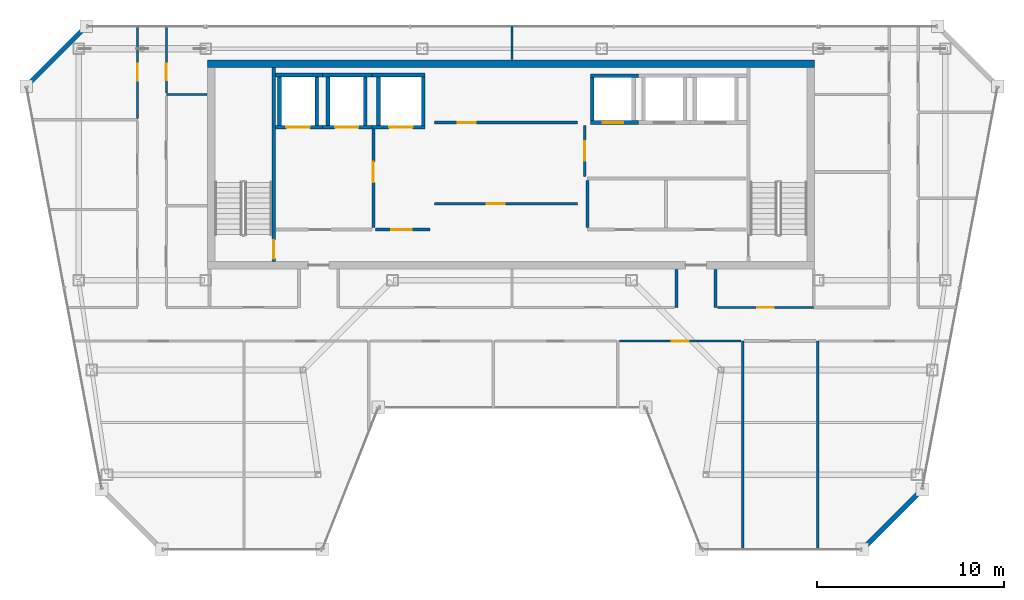
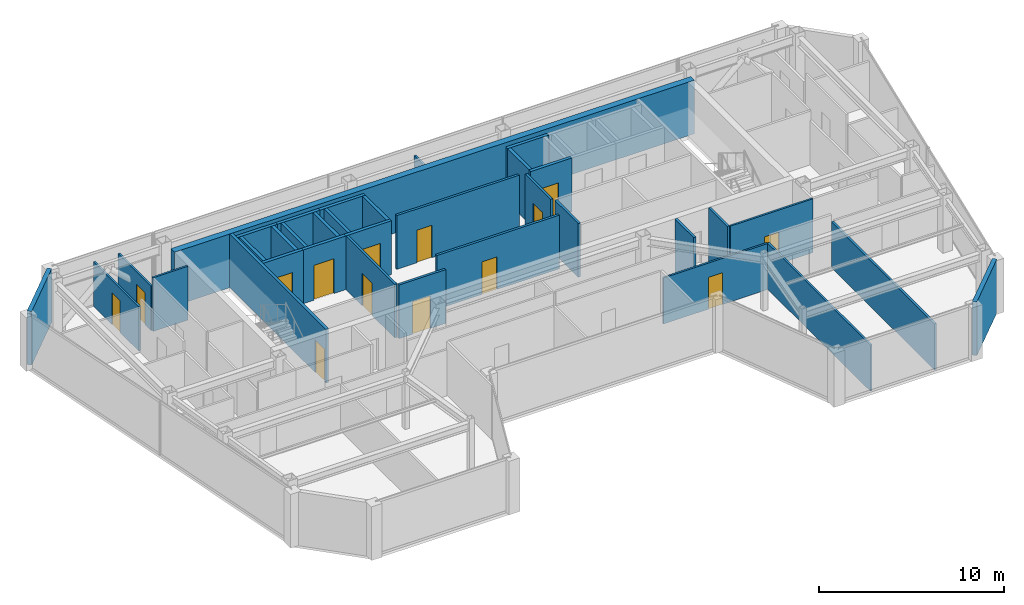
# One storey, part 19 of 23: 35 walls, 14 doors, 14 openings.
"""IFC4 building model written with IfcOpenShell, lengths in metres."""

from ifc_helpers import new_model, si_unit, direction, frame, frame_2d, origin, place, context, subcontext, project, spatial, rectangle, extrude, material, layer, layer_set, type_object, element, fill, save


model = new_model("IFC4")

# Units and contexts
model_context = context("Model", 3, precision=1e-05, world=origin(), true_north=direction((0.0, 1.0)))
body_context = subcontext(model_context, "Body", "Model", "MODEL_VIEW")
ifc_project = project(units=[si_unit("LENGTHUNIT", "METRE"), si_unit("AREAUNIT", "SQUARE_METRE"), si_unit("VOLUMEUNIT", "CUBIC_METRE"), si_unit("PLANEANGLEUNIT", "RADIAN"), si_unit("MASSUNIT", "GRAM", prefix="KILO")], contexts=[model_context])

# Site, building, storey
site_placement = place(None, origin())
site = spatial("IfcSite", under=ifc_project, at=site_placement, CompositionType="ELEMENT")
building_placement = place(site_placement, origin())
building = spatial("IfcBuilding", under=site, at=building_placement, Name="Saevonmaru Cultural Tower", CompositionType="ELEMENT")
storey_placement = place(building_placement, frame((0.0, 0.0, 283.800048828125)))
storey = spatial("IfcBuildingStorey", under=building, at=storey_placement, Name="L67", CompositionType="ELEMENT", Elevation=283.800048828125)

# Wall
ifc_material_1 = material(Name="Concrete C50/60", Category="concrete")
ifc_layer_1 = layer(ifc_material_1, 0.39990234375, Name="Concrete C50/60")
ifc_layer_set_1 = layer_set([ifc_layer_1], Name="Concrete C50/60")
wall_type_1 = type_object("IfcWallType", Name="WL-CORE-400", PredefinedType="SHEAR", material=ifc_layer_set_1)
wall_1_placement = place(storey_placement, frame((13.699951171875, 54.0, 0.0), z_axis=(0.0, 0.0, 1.0), x_axis=(1.0, 0.0, 0.0)))
element("IfcWall", 1, at=wall_1_placement, inside=storey, type_object=wall_type_1, Name="L67 Tower RC core shear wall N", PredefinedType="SHEAR", context=body_context, shape_type="SweptSolid", body=[
    extrude(rectangle(XDim=32.5, YDim=0.39990234375, at=frame_2d((16.25, 0.0))), origin(), (0.0, 0.0, 1.0), 3.550048828125),
])

# Wall, opening, door
ifc_material_2 = material(Name="Gypsum Fireboard Partition", Category="gypsum")
ifc_layer_2 = layer(ifc_material_2, 0.14990234375, Name="Gypsum Fireboard Partition")
ifc_layer_set_2 = layer_set([ifc_layer_2], Name="Gypsum Fireboard Partition")
wall_type_2 = type_object("IfcWallType", Name="WL-CORE-PART-150", PredefinedType="PARTITIONING", material=ifc_layer_set_2)
wall_2_placement = place(storey_placement, frame((22.580078125, 50.550048828125, 0.0), z_axis=(0.0, 0.0, 1.0), x_axis=(0.0, -1.0, 0.0)))
wall_2 = element("IfcWall", 2, at=wall_2_placement, inside=storey, type_object=wall_type_2, Name="L67 Firefighting Lift Lobby East Wall", PredefinedType="PARTITIONING", context=body_context, shape_type="SweptSolid", body=[
    extrude(rectangle(XDim=5.330078125, YDim=0.14990234375, at=frame_2d((2.6650390625, 0.0))), origin(), (0.0, 0.0, 1.0), 3.550048828125),
])
opening_1_placement = place(wall_2_placement, frame((1.800048828125, 0.0, 0.0)))
opening_1 = element("IfcOpeningElement", 3, at=opening_1_placement, cuts=wall_2, Name="Opening FD-2", PredefinedType="OPENING", context=body_context, shape_type="SweptSolid", body=[
    extrude(rectangle(XDim=1.10009765625, YDim=2.14990234375, at=frame_2d((0.550048828125, 1.074951171875))), frame((0.0, 0.0849609375, 0.0), z_axis=(0.0, -1.0, 0.0), x_axis=(1.0, 0.0, 0.0)), (0.0, 0.0, 1.0), 0.169921875),
])
ifc_material_3 = material(Name="Satin Bronze Anodised Aluminium", Category="aluminium")
door_type_1 = type_object("IfcDoorType", Name="DR-FD60-1100", OperationType="SINGLE_SWING_LEFT", PredefinedType="DOOR", material=ifc_material_3)
door_1_placement = place(opening_1_placement, origin())
door_1 = element("IfcDoor", 4, at=door_1_placement, inside=storey, type_object=door_type_1, Name="L67 Firefighting Lift Lobby East Door", OperationType="SINGLE_SWING_LEFT", OverallHeight=2.14990234375, OverallWidth=1.10009765625, PredefinedType="DOOR", context=body_context, shape_type="SweptSolid", body=[
    extrude(rectangle(XDim=1.10009765625, YDim=2.14990234375, at=frame_2d((0.550048828125, 1.074951171875))), frame((0.0, 0.02490234375, 0.0), z_axis=(0.0, -1.0, 0.0), x_axis=(1.0, 0.0, 0.0)), (0.0, 0.0, 1.0), 0.050048828125),
])
fill(opening_1, door_1)

wall_3_placement = place(storey_placement, frame((22.679931640625, 45.1201171875, 0.0), z_axis=(0.0, 0.0, 1.0), x_axis=(1.0, 0.0, 0.0)))
wall_3 = element("IfcWall", 5, at=wall_3_placement, inside=storey, type_object=wall_type_2, Name="L67 Service Lift Vestibule Wall", PredefinedType="PARTITIONING", context=body_context, shape_type="SweptSolid", body=[
    extrude(rectangle(XDim=2.920166015625, YDim=0.14990234375, at=frame_2d((1.4599609375, 0.0))), origin(), (0.0, 0.0, 1.0), 3.550048828125),
])
opening_2_placement = place(wall_3_placement, frame((0.85009765625, 0.0, 0.0)))
opening_2 = element("IfcOpeningElement", 6, at=opening_2_placement, cuts=wall_3, Name="Opening FD-2", PredefinedType="OPENING", context=body_context, shape_type="SweptSolid", body=[
    extrude(rectangle(XDim=1.10009765625, YDim=2.14990234375, at=frame_2d((0.550048828125, 1.074951171875))), frame((0.0, 0.0849609375, 0.0), z_axis=(0.0, -1.0, 0.0), x_axis=(1.0, 0.0, 0.0)), (0.0, 0.0, 1.0), 0.169921875),
])
door_2_placement = place(opening_2_placement, origin())
door_2 = element("IfcDoor", 7, at=door_2_placement, inside=storey, type_object=door_type_1, Name="L67 Service Lift Vestibule Door", OperationType="SINGLE_SWING_LEFT", OverallHeight=2.14990234375, OverallWidth=1.10009765625, PredefinedType="DOOR", context=body_context, shape_type="SweptSolid", body=[
    extrude(rectangle(XDim=1.10009765625, YDim=2.14990234375, at=frame_2d((0.550048828125, 1.074951171875))), frame((0.0, 0.02490234375, 0.0), z_axis=(0.0, -1.0, 0.0), x_axis=(1.0, 0.0, 0.0)), (0.0, 0.0, 1.0), 0.050048828125),
])
fill(opening_2, door_2)

wall_4_placement = place(storey_placement, frame((33.89990234375, 47.949951171875, 0.0), z_axis=(0.0, 0.0, 1.0), x_axis=(0.0, 1.0, 0.0)))
wall_4 = element("IfcWall", 8, at=wall_4_placement, inside=storey, type_object=wall_type_2, Name="L67 Zone Lobby Divider", PredefinedType="PARTITIONING", context=body_context, shape_type="SweptSolid", body=[
    extrude(rectangle(XDim=2.75, YDim=0.14990234375, at=frame_2d((1.375, 0.0))), origin(), (0.0, 0.0, 1.0), 3.550048828125),
])
opening_3_placement = place(wall_4_placement, frame((0.85009765625, 0.0, 0.0)))
opening_3 = element("IfcOpeningElement", 9, at=opening_3_placement, cuts=wall_4, Name="Opening ID-1", PredefinedType="OPENING", context=body_context, shape_type="SweptSolid", body=[
    extrude(rectangle(XDim=1.050048828125, YDim=2.14990234375, at=frame_2d((0.52490234375, 1.074951171875))), frame((0.0, 0.0849609375, 0.0), z_axis=(0.0, -1.0, 0.0), x_axis=(1.0, 0.0, 0.0)), (0.0, 0.0, 1.0), 0.169921875),
])
door_type_2 = type_object("IfcDoorType", Name="DR-INT-1050", OperationType="SINGLE_SWING_LEFT", PredefinedType="DOOR", material=ifc_material_3)
door_3_placement = place(opening_3_placement, origin())
door_3 = element("IfcDoor", 10, at=door_3_placement, inside=storey, type_object=door_type_2, Name="L67 Inter-Lobby Link Door", OperationType="SINGLE_SWING_LEFT", OverallHeight=2.14990234375, OverallWidth=1.050048828125, PredefinedType="DOOR", context=body_context, shape_type="SweptSolid", body=[
    extrude(rectangle(XDim=1.050048828125, YDim=2.14990234375, at=frame_2d((0.52490234375, 1.074951171875))), frame((0.0, 0.02490234375, 0.0), z_axis=(0.0, -1.0, 0.0), x_axis=(1.0, 0.0, 0.0)), (0.0, 0.0, 1.0), 0.050048828125),
])
fill(opening_3, door_3)

# Wall
wall_5_placement = place(storey_placement, frame((34.050048828125, 45.219970703125, 0.0), z_axis=(0.0, 0.0, 1.0), x_axis=(0.0, 1.0, 0.0)))
element("IfcWall", 11, at=wall_5_placement, inside=storey, type_object=wall_type_2, Name="L67 Core Plant West Wall", PredefinedType="PARTITIONING", context=body_context, shape_type="SweptSolid", body=[
    extrude(rectangle(XDim=2.530029296875, YDim=0.14990234375, at=frame_2d((1.26513671875, 0.0))), origin(), (0.0, 0.0, 1.0), 3.550048828125),
])

# Wall, opening, door
wall_6_placement = place(storey_placement, frame((25.85009765625, 50.85009765625, 0.0), z_axis=(0.0, 0.0, 1.0), x_axis=(1.0, 0.0, 0.0)))
wall_6 = element("IfcWall", 12, at=wall_6_placement, inside=storey, type_object=wall_type_2, Name="L67 Reclaimed Core Room South Wall", PredefinedType="PARTITIONING", context=body_context, shape_type="SweptSolid", body=[
    extrude(rectangle(XDim=7.64990234375, YDim=0.14990234375, at=frame_2d((3.824951171875, 0.0))), origin(), (0.0, 0.0, 1.0), 3.550048828125),
])
opening_4_placement = place(wall_6_placement, frame((1.25, 0.0, 0.0)))
opening_4 = element("IfcOpeningElement", 13, at=opening_4_placement, cuts=wall_6, Name="Opening FD-4", PredefinedType="OPENING", context=body_context, shape_type="SweptSolid", body=[
    extrude(rectangle(XDim=0.949951171875, YDim=2.14990234375, at=frame_2d((0.47509765625, 1.074951171875))), frame((0.0, 0.0849609375, 0.0), z_axis=(0.0, -1.0, 0.0), x_axis=(1.0, 0.0, 0.0)), (0.0, 0.0, 1.0), 0.169921875),
])
door_type_3 = type_object("IfcDoorType", Name="DR-FD60-950", OperationType="SINGLE_SWING_LEFT", PredefinedType="DOOR", material=ifc_material_3)
door_4_placement = place(opening_4_placement, origin())
door_4 = element("IfcDoor", 14, at=door_4_placement, inside=storey, type_object=door_type_3, Name="L67 Reclaimed Archive Vault Door", OperationType="SINGLE_SWING_LEFT", OverallHeight=2.14990234375, OverallWidth=0.949951171875, PredefinedType="DOOR", context=body_context, shape_type="SweptSolid", body=[
    extrude(rectangle(XDim=0.949951171875, YDim=2.14990234375, at=frame_2d((0.47509765625, 1.074951171875))), frame((0.0, 0.02490234375, 0.0), z_axis=(0.0, -1.0, 0.0), x_axis=(1.0, 0.0, 0.0)), (0.0, 0.0, 1.0), 0.050048828125),
])
fill(opening_4, door_4)

wall_7_placement = place(storey_placement, frame((25.85009765625, 46.5, 0.0), z_axis=(0.0, 0.0, 1.0), x_axis=(1.0, 0.0, 0.0)))
wall_7 = element("IfcWall", 15, at=wall_7_placement, inside=storey, type_object=wall_type_2, Name="L67 Reclaimed Mid-Shaft Wall", PredefinedType="PARTITIONING", context=body_context, shape_type="SweptSolid", body=[
    extrude(rectangle(XDim=7.64990234375, YDim=0.14990234375, at=frame_2d((3.824951171875, 0.0))), origin(), (0.0, 0.0, 1.0), 3.550048828125),
])
opening_5_placement = place(wall_7_placement, frame((2.800048828125, 0.0, 0.0)))
opening_5 = element("IfcOpeningElement", 16, at=opening_5_placement, cuts=wall_7, Name="Opening FD-4", PredefinedType="OPENING", context=body_context, shape_type="SweptSolid", body=[
    extrude(rectangle(XDim=0.949951171875, YDim=2.14990234375, at=frame_2d((0.47509765625, 1.074951171875))), frame((0.0, 0.0849609375, 0.0), z_axis=(0.0, -1.0, 0.0), x_axis=(1.0, 0.0, 0.0)), (0.0, 0.0, 1.0), 0.169921875),
])
door_5_placement = place(opening_5_placement, origin())
door_5 = element("IfcDoor", 17, at=door_5_placement, inside=storey, type_object=door_type_3, Name="L67 Reclaimed Manuscript Storage Door", OperationType="SINGLE_SWING_LEFT", OverallHeight=2.14990234375, OverallWidth=0.949951171875, PredefinedType="DOOR", context=body_context, shape_type="SweptSolid", body=[
    extrude(rectangle(XDim=0.949951171875, YDim=2.14990234375, at=frame_2d((0.47509765625, 1.074951171875))), frame((0.0, 0.02490234375, 0.0), z_axis=(0.0, -1.0, 0.0), x_axis=(1.0, 0.0, 0.0)), (0.0, 0.0, 1.0), 0.050048828125),
])
fill(opening_5, door_5)

# Walls
ifc_material_4 = material(Name="Granite-Clad Precast Concrete C40/50", Category="masonry")
ifc_layer_3 = layer(ifc_material_4, 0.260009765625, Name="Granite-Clad Precast Concrete C40/50")
ifc_layer_set_3 = layer_set([ifc_layer_3], Name="Granite-Clad Precast Concrete C40/50")
wall_type_3 = type_object("IfcWallType", Name="WL-EXT-SPANDREL-260", PredefinedType="STANDARD", material=ifc_layer_set_3)
for number, where, z_axis, x_axis, name in (
    (18, (48.86865234375, 28.113037109375, 0.0), (0.0, 0.0, 1.0), (0.707106781187, 0.707106781187, 0.0), "L67 Chamfer Corner Spandrel Wall E7"),
    (19, (7.0869140625, 55.886962890625, 0.0), (0.0, 0.0, 1.0), (-0.707106781187, -0.707106781187, 0.0), "L67 Chamfer Corner Spandrel Wall E11"),
):
    element("IfcWall", number, at=place(storey_placement, frame(where, z_axis=z_axis, x_axis=x_axis)), inside=storey, type_object=wall_type_3, Name=name, PredefinedType="STANDARD", context=body_context, shape_type="SweptSolid", body=[
        extrude(rectangle(XDim=4.205810546875, YDim=0.260009765625, at=frame_2d((2.10302734375, 0.0))), origin(), (0.0, 0.0, 1.0), 3.550048828125),
    ])
ifc_layer_4 = layer(ifc_material_2, 0.14990234375, Name="Gypsum Fireboard Partition")
ifc_layer_set_4 = layer_set([ifc_layer_4], Name="Gypsum Fireboard Partition")
wall_type_4 = type_object("IfcWallType", Name="WL-PART-FIRE-150", PredefinedType="PARTITIONING", material=ifc_layer_set_4)
for number, where, z_axis, x_axis, name in (
    (20, (38.800048828125, 40.949951171875, 0.0), (0.0, 0.0, 1.0), (0.0, 1.0, 0.0), "L67 Core Portal Side Wall E1"),
    (21, (40.89990234375, 40.949951171875, 0.0), (0.0, 0.0, 1.0), (0.0, 1.0, 0.0), "L67 Core Portal Side Wall E2"),
):
    element("IfcWall", number, at=place(storey_placement, frame(where, z_axis=z_axis, x_axis=x_axis)), inside=storey, type_object=wall_type_4, Name=name, PredefinedType="PARTITIONING", context=body_context, shape_type="SweptSolid", body=[
        extrude(rectangle(XDim=2.030029296875, YDim=0.14990234375, at=frame_2d((1.01513671875, 0.0))), origin(), (0.0, 0.0, 1.0), 3.550048828125),
    ])
ifc_layer_5 = layer(ifc_material_2, 0.1201171875, Name="Gypsum Fireboard Partition")
ifc_layer_set_5 = layer_set([ifc_layer_5], Name="Gypsum Fireboard Partition")
wall_type_5 = type_object("IfcWallType", Name="WL-PART-GYP-120", PredefinedType="PARTITIONING", material=ifc_layer_set_5)
wall_8_placement = place(storey_placement, frame((11.5, 52.35009765625, 0.0), z_axis=(0.0, 0.0, 1.0), x_axis=(1.0, 0.0, 0.0)))
element("IfcWall", 22, at=wall_8_placement, inside=storey, type_object=wall_type_5, Name="L67 North-West Panorama South Wall", PredefinedType="PARTITIONING", context=body_context, shape_type="SweptSolid", body=[
    extrude(rectangle(XDim=2.179931640625, YDim=0.1201171875, at=frame_2d((1.08984375, 0.0))), origin(), (0.0, 0.0, 1.0), 3.550048828125),
])
wall_9_placement = place(storey_placement, frame((30.0, 54.219970703125, 0.0), z_axis=(0.0, 0.0, 1.0), x_axis=(0.0, 1.0, 0.0)))
element("IfcWall", 23, at=wall_9_placement, inside=storey, type_object=wall_type_5, Name="L67 North Panorama Center Split", PredefinedType="PARTITIONING", context=body_context, shape_type="SweptSolid", body=[
    extrude(rectangle(XDim=1.775146484375, YDim=0.1201171875, at=frame_2d((0.8876953125, 0.0))), origin(), (0.0, 0.0, 1.0), 2.93505859375),
])

# Wall, opening, door
wall_10_placement = place(storey_placement, frame((11.5, 52.429931640625, 0.0), z_axis=(0.0, 0.0, 1.0), x_axis=(0.0, 1.0, 0.0)))
wall_10 = element("IfcWall", 24, at=wall_10_placement, inside=storey, type_object=wall_type_5, Name="L67 Typography Design Classroom Corridor Wall", PredefinedType="PARTITIONING", context=body_context, shape_type="SweptSolid", body=[
    extrude(rectangle(XDim=3.565185546875, YDim=0.1201171875, at=frame_2d((1.78271484375, 0.0))), origin(), (0.0, 0.0, 1.0), 2.93505859375),
])
opening_6_placement = place(wall_10_placement, frame((0.672119140625, 0.0, 0.0)))
opening_6 = element("IfcOpeningElement", 25, at=opening_6_placement, cuts=wall_10, Name="Opening ID-2", PredefinedType="OPENING", context=body_context, shape_type="SweptSolid", body=[
    extrude(rectangle(XDim=0.89990234375, YDim=2.10009765625, at=frame_2d((0.449951171875, 1.050048828125))), frame((0.0, 0.070068359375, 0.0), z_axis=(0.0, -1.0, 0.0), x_axis=(1.0, 0.0, 0.0)), (0.0, 0.0, 1.0), 0.14013671875),
])
ifc_material_5 = material(Name="Acoustic Stained Oak Timber", Category="wood")
door_type_4 = type_object("IfcDoorType", Name="DR-INT-900", OperationType="SINGLE_SWING_RIGHT", PredefinedType="DOOR", material=ifc_material_5)
door_6_placement = place(opening_6_placement, origin())
door_6 = element("IfcDoor", 26, at=door_6_placement, inside=storey, type_object=door_type_4, Name="L67 Typography Design Classroom Door", OperationType="SINGLE_SWING_LEFT", OverallHeight=2.10009765625, OverallWidth=0.89990234375, PredefinedType="DOOR", context=body_context, shape_type="SweptSolid", body=[
    extrude(rectangle(XDim=0.89990234375, YDim=2.10009765625, at=frame_2d((0.449951171875, 1.050048828125))), frame((0.0, 0.02490234375, 0.0), z_axis=(0.0, -1.0, 0.0), x_axis=(1.0, 0.0, 0.0)), (0.0, 0.0, 1.0), 0.050048828125),
])
fill(opening_6, door_6)

wall_11_placement = place(storey_placement, frame((9.949951171875, 51.080078125, 0.0), z_axis=(0.0, 0.0, 1.0), x_axis=(0.0, 1.0, 0.0)))
wall_11 = element("IfcWall", 27, at=wall_11_placement, inside=storey, type_object=wall_type_5, Name="L67 Typography Design Classroom Corridor Wall", PredefinedType="PARTITIONING", context=body_context, shape_type="SweptSolid", body=[
    extrude(rectangle(XDim=4.9150390625, YDim=0.1201171875, at=frame_2d((2.45751953125, 0.0))), origin(), (0.0, 0.0, 1.0), 2.93505859375),
])
opening_7_placement = place(wall_11_placement, frame((2.007080078125, 0.0, 0.0)))
opening_7 = element("IfcOpeningElement", 28, at=opening_7_placement, cuts=wall_11, Name="Opening ID-2", PredefinedType="OPENING", context=body_context, shape_type="SweptSolid", body=[
    extrude(rectangle(XDim=0.89990234375, YDim=2.10009765625, at=frame_2d((0.449951171875, 1.050048828125))), frame((0.0, 0.070068359375, 0.0), z_axis=(0.0, -1.0, 0.0), x_axis=(1.0, 0.0, 0.0)), (0.0, 0.0, 1.0), 0.14013671875),
])
door_7_placement = place(opening_7_placement, origin())
door_7 = element("IfcDoor", 29, at=door_7_placement, inside=storey, type_object=door_type_4, Name="L67 Typography Design Classroom Door", OperationType="SINGLE_SWING_RIGHT", OverallHeight=2.10009765625, OverallWidth=0.89990234375, PredefinedType="DOOR", context=body_context, shape_type="SweptSolid", body=[
    extrude(rectangle(XDim=0.89990234375, YDim=2.10009765625, at=frame_2d((0.449951171875, 1.050048828125))), frame((0.0, 0.02490234375, 0.0), z_axis=(0.0, -1.0, 0.0), x_axis=(1.0, 0.0, 0.0)), (0.0, 0.0, 1.0), 0.050048828125),
])
fill(opening_7, door_7)

wall_12_placement = place(storey_placement, frame((40.9951171875, 40.949951171875, 0.0), z_axis=(0.0, 0.0, 1.0), x_axis=(1.0, 0.0, 0.0)))
wall_12 = element("IfcWall", 30, at=wall_12_placement, inside=storey, type_object=wall_type_5, Name="L67 Typography Design Classroom Corridor Wall", PredefinedType="PARTITIONING", context=body_context, shape_type="SweptSolid", body=[
    extrude(rectangle(XDim=5.15478515625, YDim=0.1201171875, at=frame_2d((2.577392578125, 0.0))), origin(), (0.0, 0.0, 1.0), 3.550048828125),
])
opening_8_placement = place(wall_12_placement, frame((2.1279296875, 0.0, 0.0)))
opening_8 = element("IfcOpeningElement", 31, at=opening_8_placement, cuts=wall_12, Name="Opening ID-2", PredefinedType="OPENING", context=body_context, shape_type="SweptSolid", body=[
    extrude(rectangle(XDim=0.89990234375, YDim=2.10009765625, at=frame_2d((0.449951171875, 1.050048828125))), frame((0.0, 0.070068359375, 0.0), z_axis=(0.0, -1.0, 0.0), x_axis=(1.0, 0.0, 0.0)), (0.0, 0.0, 1.0), 0.14013671875),
])
door_8_placement = place(opening_8_placement, origin())
door_8 = element("IfcDoor", 32, at=door_8_placement, inside=storey, type_object=door_type_4, Name="L67 Typography Design Classroom Door", OperationType="SINGLE_SWING_LEFT", OverallHeight=2.10009765625, OverallWidth=0.89990234375, PredefinedType="DOOR", context=body_context, shape_type="SweptSolid", body=[
    extrude(rectangle(XDim=0.89990234375, YDim=2.10009765625, at=frame_2d((0.449951171875, 1.050048828125))), frame((0.0, 0.02490234375, 0.0), z_axis=(0.0, -1.0, 0.0), x_axis=(1.0, 0.0, 0.0)), (0.0, 0.0, 1.0), 0.050048828125),
])
fill(opening_8, door_8)

# Wall
wall_13_placement = place(storey_placement, frame((42.35009765625, 28.0048828125, 0.0), z_axis=(0.0, 0.0, 1.0), x_axis=(0.0, 1.0, 0.0)))
element("IfcWall", 33, at=wall_13_placement, inside=storey, type_object=wall_type_5, Name="L67 Observatory Bay Divider 5", PredefinedType="PARTITIONING", context=body_context, shape_type="SweptSolid", body=[
    extrude(rectangle(XDim=11.14501953125, YDim=0.1201171875, at=frame_2d((5.572509765625, 0.0))), origin(), (0.0, 0.0, 1.0), 3.046875),
])

# Wall, opening, door
wall_14_placement = place(storey_placement, frame((35.757568359375, 39.14990234375, 0.0), z_axis=(0.0, 0.0, 1.0), x_axis=(1.0, 0.0, 0.0)))
wall_14 = element("IfcWall", 34, at=wall_14_placement, inside=storey, type_object=wall_type_5, Name="L67 Curatorial Board Meeting Room Corridor Wall", PredefinedType="PARTITIONING", context=body_context, shape_type="SweptSolid", body=[
    extrude(rectangle(XDim=6.512451171875, YDim=0.1201171875, at=frame_2d((3.25634765625, 0.0))), origin(), (0.0, 0.0, 1.0), 3.046875),
])
opening_9_placement = place(wall_14_placement, frame((2.805908203125, 0.0, 0.0)))
opening_9 = element("IfcOpeningElement", 35, at=opening_9_placement, cuts=wall_14, Name="Opening ID-2", PredefinedType="OPENING", context=body_context, shape_type="SweptSolid", body=[
    extrude(rectangle(XDim=0.89990234375, YDim=2.10009765625, at=frame_2d((0.449951171875, 1.050048828125))), frame((0.0, 0.070068359375, 0.0), z_axis=(0.0, -1.0, 0.0), x_axis=(1.0, 0.0, 0.0)), (0.0, 0.0, 1.0), 0.14013671875),
])
door_9_placement = place(opening_9_placement, origin())
door_9 = element("IfcDoor", 36, at=door_9_placement, inside=storey, type_object=door_type_4, Name="L67 Curatorial Board Meeting Room Door", OperationType="SINGLE_SWING_RIGHT", OverallHeight=2.10009765625, OverallWidth=0.89990234375, PredefinedType="DOOR", context=body_context, shape_type="SweptSolid", body=[
    extrude(rectangle(XDim=0.89990234375, YDim=2.10009765625, at=frame_2d((0.449951171875, 1.050048828125))), frame((0.0, 0.02490234375, 0.0), z_axis=(0.0, -1.0, 0.0), x_axis=(1.0, 0.0, 0.0)), (0.0, 0.0, 1.0), 0.050048828125),
])
fill(opening_9, door_9)

# Wall
ifc_layer_6 = layer(ifc_material_2, 0.135009765625, Name="Gypsum Fireboard Partition")
ifc_layer_set_6 = layer_set([ifc_layer_6], Name="Gypsum Fireboard Partition")
wall_type_6 = type_object("IfcWallType", Name="WL-PART-GYP-135", PredefinedType="PARTITIONING", material=ifc_layer_set_6)
wall_15_placement = place(storey_placement, frame((46.360107421875, 28.0048828125, 0.0), z_axis=(0.0, 0.0, 1.0), x_axis=(0.0, 1.0, 0.0)))
element("IfcWall", 37, at=wall_15_placement, inside=storey, type_object=wall_type_6, Name="L67 Observatory Bay Divider 6", PredefinedType="PARTITIONING", context=body_context, shape_type="SweptSolid", body=[
    extrude(rectangle(XDim=11.14501953125, YDim=0.135009765625, at=frame_2d((5.572509765625, 0.0))), origin(), (0.0, 0.0, 1.0), 3.046875),
])

# Wall, opening, door
ifc_material_6 = material(Name="Concrete C40/50", Category="concrete")
ifc_layer_7 = layer(ifc_material_6, 0.199951171875, Name="Concrete C40/50")
ifc_layer_set_7 = layer_set([ifc_layer_7], Name="Concrete C40/50")
wall_type_7 = type_object("IfcWallType", Name="WL-SHAFT-200", PredefinedType="SHEAR", material=ifc_layer_set_7)
wall_16_placement = place(storey_placement, frame((17.330078125, 50.60009765625, 0.0), z_axis=(0.0, 0.0, 1.0), x_axis=(1.0, 0.0, 0.0)))
wall_16 = element("IfcWall", 38, at=wall_16_placement, inside=storey, type_object=wall_type_7, Name="L67 Lift FFL-1 Hoistway Wall S", PredefinedType="SHEAR", context=body_context, shape_type="SweptSolid", body=[
    extrude(rectangle(XDim=2.52001953125, YDim=0.199951171875, at=frame_2d((1.260009765625, 0.0))), origin(), (0.0, 0.0, 1.0), 3.550048828125),
])
opening_10_placement = place(wall_16_placement, frame((0.594970703125, 0.0, 0.0)))
opening_10 = element("IfcOpeningElement", 39, at=opening_10_placement, cuts=wall_16, Name="Opening LD-2", PredefinedType="OPENING", context=body_context, shape_type="SweptSolid", body=[
    extrude(rectangle(XDim=1.25, YDim=2.300048828125, at=frame_2d((0.625, 1.14990234375))), frame((0.0, 0.10986328125, 0.0), z_axis=(0.0, -1.0, 0.0), x_axis=(1.0, 0.0, 0.0)), (0.0, 0.0, 1.0), 0.219970703125),
])
ifc_material_7 = material(Name="Stainless Steel 316", Category="steel")
door_type_5 = type_object("IfcDoorType", Name="DR-LIFT-1250", OperationType="SLIDING_TO_LEFT", PredefinedType="DOOR", material=ifc_material_7)
door_10_placement = place(opening_10_placement, origin())
door_10 = element("IfcDoor", 40, at=door_10_placement, inside=storey, type_object=door_type_5, Name="L67 Lift FFL-1 Sliding Landing Door", OperationType="SLIDING_TO_LEFT", OverallHeight=2.300048828125, OverallWidth=1.25, PredefinedType="DOOR", context=body_context, shape_type="SweptSolid", body=[
    extrude(rectangle(XDim=1.25, YDim=2.300048828125, at=frame_2d((0.625, 1.14990234375))), frame((0.0, 0.02490234375, 0.0), z_axis=(0.0, -1.0, 0.0), x_axis=(1.0, 0.0, 0.0)), (0.0, 0.0, 1.0), 0.050048828125),
])
fill(opening_10, door_10)

# Walls
wall_17_placement = place(storey_placement, frame((17.330078125, 53.39990234375, 0.0), z_axis=(0.0, 0.0, 1.0), x_axis=(1.0, 0.0, 0.0)))
element("IfcWall", 41, at=wall_17_placement, inside=storey, type_object=wall_type_7, Name="L67 Lift FFL-1 Hoistway Wall N", PredefinedType="SHEAR", context=body_context, shape_type="SweptSolid", body=[
    extrude(rectangle(XDim=2.52001953125, YDim=0.199951171875, at=frame_2d((1.260009765625, 0.0))), origin(), (0.0, 0.0, 1.0), 3.550048828125),
])
for number, where, z_axis, x_axis, name in (
    (42, (17.550048828125, 50.699951171875, 0.0), (0.0, 0.0, 1.0), (0.0, 1.0, 0.0), "L67 Lift FFL-1 Hoistway Wall W"),
    (43, (19.550048828125, 50.699951171875, 0.0), (0.0, 0.0, 1.0), (0.0, 1.0, 0.0), "L67 Lift FFL-1 Hoistway Wall E"),
):
    element("IfcWall", number, at=place(storey_placement, frame(where, z_axis=z_axis, x_axis=x_axis)), inside=storey, type_object=wall_type_7, Name=name, PredefinedType="SHEAR", context=body_context, shape_type="SweptSolid", body=[
        extrude(rectangle(XDim=2.60009765625, YDim=0.199951171875, at=frame_2d((1.300048828125, 0.0))), origin(), (0.0, 0.0, 1.0), 3.550048828125),
    ])

# Wall, opening, door
wall_18_placement = place(storey_placement, frame((19.85009765625, 50.60009765625, 0.0), z_axis=(0.0, 0.0, 1.0), x_axis=(1.0, 0.0, 0.0)))
wall_18 = element("IfcWall", 44, at=wall_18_placement, inside=storey, type_object=wall_type_7, Name="L67 Lift FFL-2 Hoistway Wall S", PredefinedType="SHEAR", context=body_context, shape_type="SweptSolid", body=[
    extrude(rectangle(XDim=2.64990234375, YDim=0.199951171875, at=frame_2d((1.324951171875, 0.0))), origin(), (0.0, 0.0, 1.0), 3.550048828125),
])
opening_11_placement = place(wall_18_placement, frame((0.675048828125, 0.0, 0.0)))
opening_11 = element("IfcOpeningElement", 45, at=opening_11_placement, cuts=wall_18, Name="Opening LD-2", PredefinedType="OPENING", context=body_context, shape_type="SweptSolid", body=[
    extrude(rectangle(XDim=1.25, YDim=2.300048828125, at=frame_2d((0.625, 1.14990234375))), frame((0.0, 0.10986328125, 0.0), z_axis=(0.0, -1.0, 0.0), x_axis=(1.0, 0.0, 0.0)), (0.0, 0.0, 1.0), 0.219970703125),
])
door_11_placement = place(opening_11_placement, origin())
door_11 = element("IfcDoor", 46, at=door_11_placement, inside=storey, type_object=door_type_5, Name="L67 Lift FFL-2 Sliding Landing Door", OperationType="SLIDING_TO_LEFT", OverallHeight=2.300048828125, OverallWidth=1.25, PredefinedType="DOOR", context=body_context, shape_type="SweptSolid", body=[
    extrude(rectangle(XDim=1.25, YDim=2.300048828125, at=frame_2d((0.625, 1.14990234375))), frame((0.0, 0.02490234375, 0.0), z_axis=(0.0, -1.0, 0.0), x_axis=(1.0, 0.0, 0.0)), (0.0, 0.0, 1.0), 0.050048828125),
])
fill(opening_11, door_11)

# Walls
wall_19_placement = place(storey_placement, frame((19.85009765625, 53.39990234375, 0.0), z_axis=(0.0, 0.0, 1.0), x_axis=(1.0, 0.0, 0.0)))
element("IfcWall", 47, at=wall_19_placement, inside=storey, type_object=wall_type_7, Name="L67 Lift FFL-2 Hoistway Wall N", PredefinedType="SHEAR", context=body_context, shape_type="SweptSolid", body=[
    extrude(rectangle(XDim=2.64990234375, YDim=0.199951171875, at=frame_2d((1.324951171875, 0.0))), origin(), (0.0, 0.0, 1.0), 3.550048828125),
])
for number, where, z_axis, x_axis, name in (
    (48, (20.14990234375, 50.699951171875, 0.0), (0.0, 0.0, 1.0), (0.0, 1.0, 0.0), "L67 Lift FFL-2 Hoistway Wall W"),
    (49, (22.14990234375, 50.699951171875, 0.0), (0.0, 0.0, 1.0), (0.0, 1.0, 0.0), "L67 Lift FFL-2 Hoistway Wall E"),
):
    element("IfcWall", number, at=place(storey_placement, frame(where, z_axis=z_axis, x_axis=x_axis)), inside=storey, type_object=wall_type_7, Name=name, PredefinedType="SHEAR", context=body_context, shape_type="SweptSolid", body=[
        extrude(rectangle(XDim=2.60009765625, YDim=0.199951171875, at=frame_2d((1.300048828125, 0.0))), origin(), (0.0, 0.0, 1.0), 3.550048828125),
    ])

# Wall, opening, door
wall_20_placement = place(storey_placement, frame((22.5, 50.60009765625, 0.0), z_axis=(0.0, 0.0, 1.0), x_axis=(1.0, 0.0, 0.0)))
wall_20 = element("IfcWall", 50, at=wall_20_placement, inside=storey, type_object=wall_type_7, Name="L67 Lift GL-1 Hoistway Wall S", PredefinedType="SHEAR", context=body_context, shape_type="SweptSolid", body=[
    extrude(rectangle(XDim=2.85009765625, YDim=0.199951171875, at=frame_2d((1.425048828125, 0.0))), origin(), (0.0, 0.0, 1.0), 3.550048828125),
])
opening_12_placement = place(wall_20_placement, frame((0.925048828125, 0.0, 0.0)))
opening_12 = element("IfcOpeningElement", 51, at=opening_12_placement, cuts=wall_20, Name="Opening LD-2", PredefinedType="OPENING", context=body_context, shape_type="SweptSolid", body=[
    extrude(rectangle(XDim=1.25, YDim=2.300048828125, at=frame_2d((0.625, 1.14990234375))), frame((0.0, 0.10986328125, 0.0), z_axis=(0.0, -1.0, 0.0), x_axis=(1.0, 0.0, 0.0)), (0.0, 0.0, 1.0), 0.219970703125),
])
door_12_placement = place(opening_12_placement, origin())
door_12 = element("IfcDoor", 52, at=door_12_placement, inside=storey, type_object=door_type_5, Name="L67 Lift GL-1 Sliding Landing Door", OperationType="SLIDING_TO_LEFT", OverallHeight=2.300048828125, OverallWidth=1.25, PredefinedType="DOOR", context=body_context, shape_type="SweptSolid", body=[
    extrude(rectangle(XDim=1.25, YDim=2.300048828125, at=frame_2d((0.625, 1.14990234375))), frame((0.0, 0.02490234375, 0.0), z_axis=(0.0, -1.0, 0.0), x_axis=(1.0, 0.0, 0.0)), (0.0, 0.0, 1.0), 0.050048828125),
])
fill(opening_12, door_12)

# Walls
wall_21_placement = place(storey_placement, frame((22.5, 53.39990234375, 0.0), z_axis=(0.0, 0.0, 1.0), x_axis=(1.0, 0.0, 0.0)))
element("IfcWall", 53, at=wall_21_placement, inside=storey, type_object=wall_type_7, Name="L67 Lift GL-1 Hoistway Wall N", PredefinedType="SHEAR", context=body_context, shape_type="SweptSolid", body=[
    extrude(rectangle(XDim=2.85009765625, YDim=0.199951171875, at=frame_2d((1.425048828125, 0.0))), origin(), (0.0, 0.0, 1.0), 3.550048828125),
])
for number, where, z_axis, x_axis, name in (
    (54, (22.85009765625, 50.699951171875, 0.0), (0.0, 0.0, 1.0), (0.0, 1.0, 0.0), "L67 Lift GL-1 Hoistway Wall W"),
    (55, (25.25, 50.699951171875, 0.0), (0.0, 0.0, 1.0), (0.0, 1.0, 0.0), "L67 Lift GL-1 Hoistway Wall E"),
):
    element("IfcWall", number, at=place(storey_placement, frame(where, z_axis=z_axis, x_axis=x_axis)), inside=storey, type_object=wall_type_7, Name=name, PredefinedType="SHEAR", context=body_context, shape_type="SweptSolid", body=[
        extrude(rectangle(XDim=2.60009765625, YDim=0.199951171875, at=frame_2d((1.300048828125, 0.0))), origin(), (0.0, 0.0, 1.0), 3.550048828125),
    ])

# Wall, opening, door
wall_22_placement = place(storey_placement, frame((34.199951171875, 50.85009765625, 0.0), z_axis=(0.0, 0.0, 1.0), x_axis=(1.0, 0.0, 0.0)))
wall_22 = element("IfcWall", 56, at=wall_22_placement, inside=storey, type_object=wall_type_7, Name="L67 Lift PL-H1 Hoistway Wall S", PredefinedType="SHEAR", context=body_context, shape_type="SweptSolid", body=[
    extrude(rectangle(XDim=2.574951171875, YDim=0.199951171875, at=frame_2d((1.28759765625, 0.0))), origin(), (0.0, 0.0, 1.0), 3.550048828125),
])
opening_13_placement = place(wall_22_placement, frame((0.64990234375, 0.0, 0.0)))
opening_13 = element("IfcOpeningElement", 57, at=opening_13_placement, cuts=wall_22, Name="Opening LD-1", PredefinedType="OPENING", context=body_context, shape_type="SweptSolid", body=[
    extrude(rectangle(XDim=1.10009765625, YDim=2.199951171875, at=frame_2d((0.550048828125, 1.10009765625))), frame((0.0, 0.10986328125, 0.0), z_axis=(0.0, -1.0, 0.0), x_axis=(1.0, 0.0, 0.0)), (0.0, 0.0, 1.0), 0.219970703125),
])
ifc_material_8 = material(Name="Satin Bronze Stainless Steel", Category="steel")
door_type_6 = type_object("IfcDoorType", Name="DR-LIFT-1100", OperationType="SLIDING_TO_LEFT", PredefinedType="DOOR", material=ifc_material_8)
door_13_placement = place(opening_13_placement, origin())
door_13 = element("IfcDoor", 58, at=door_13_placement, inside=storey, type_object=door_type_6, Name="L67 Lift PL-H1 Sliding Landing Door", OperationType="SLIDING_TO_LEFT", OverallHeight=2.199951171875, OverallWidth=1.10009765625, PredefinedType="DOOR", context=body_context, shape_type="SweptSolid", body=[
    extrude(rectangle(XDim=1.10009765625, YDim=2.199951171875, at=frame_2d((0.550048828125, 1.10009765625))), frame((0.0, 0.02490234375, 0.0), z_axis=(0.0, -1.0, 0.0), x_axis=(1.0, 0.0, 0.0)), (0.0, 0.0, 1.0), 0.050048828125),
])
fill(opening_13, door_13)

# Walls
wall_23_placement = place(storey_placement, frame((34.199951171875, 53.35009765625, 0.0), z_axis=(0.0, 0.0, 1.0), x_axis=(1.0, 0.0, 0.0)))
element("IfcWall", 59, at=wall_23_placement, inside=storey, type_object=wall_type_7, Name="L67 Lift PL-H1 Hoistway Wall N", PredefinedType="SHEAR", context=body_context, shape_type="SweptSolid", body=[
    extrude(rectangle(XDim=2.574951171875, YDim=0.199951171875, at=frame_2d((1.28759765625, 0.0))), origin(), (0.0, 0.0, 1.0), 3.550048828125),
])
wall_24_placement = place(storey_placement, frame((34.300048828125, 50.949951171875, 0.0), z_axis=(0.0, 0.0, 1.0), x_axis=(0.0, 1.0, 0.0)))
element("IfcWall", 60, at=wall_24_placement, inside=storey, type_object=wall_type_7, Name="L67 Lift PL-H1 Hoistway Wall W", PredefinedType="SHEAR", context=body_context, shape_type="SweptSolid", body=[
    extrude(rectangle(XDim=2.300048828125, YDim=0.199951171875, at=frame_2d((1.14990234375, 0.0))), origin(), (0.0, 0.0, 1.0), 3.550048828125),
])

# Wall, opening, door
ifc_layer_8 = layer(ifc_material_6, 0.179931640625, Name="Concrete C40/50")
ifc_layer_set_8 = layer_set([ifc_layer_8], Name="Concrete C40/50")
wall_type_8 = type_object("IfcWallType", Name="WL-STSHAFT-180", PredefinedType="SHEAR", material=ifc_layer_set_8)
wall_25_placement = place(storey_placement, frame((17.239990234375, 43.39990234375, 0.0), z_axis=(0.0, 0.0, 1.0), x_axis=(0.0, 1.0, 0.0)))
wall_25 = element("IfcWall", 61, at=wall_25_placement, inside=storey, type_object=wall_type_8, Name="L67 Stair ST-1 Structural Shaft Wall 1", PredefinedType="SHEAR", context=body_context, shape_type="SweptSolid", body=[
    extrude(rectangle(XDim=10.400146484375, YDim=0.179931640625, at=frame_2d((5.2001953125, 0.0))), origin(), (0.0, 0.0, 1.0), 3.550048828125),
])
opening_14_placement = place(wall_25_placement, frame((0.159912109375, 0.0, 0.0)))
opening_14 = element("IfcOpeningElement", 62, at=opening_14_placement, cuts=wall_25, Name="Opening FD-3", PredefinedType="OPENING", context=body_context, shape_type="SweptSolid", body=[
    extrude(rectangle(XDim=1.0, YDim=2.14990234375, at=frame_2d((0.5, 1.074951171875))), frame((0.0, 0.10009765625, 0.0), z_axis=(0.0, -1.0, 0.0), x_axis=(1.0, 0.0, 0.0)), (0.0, 0.0, 1.0), 0.199951171875),
])
door_type_7 = type_object("IfcDoorType", Name="DR-FD60-1000", OperationType="SINGLE_SWING_RIGHT", PredefinedType="DOOR", material=ifc_material_3)
door_14_placement = place(opening_14_placement, origin())
door_14 = element("IfcDoor", 63, at=door_14_placement, inside=storey, type_object=door_type_7, Name="L67 Protected Stair ST-1 Fire Door", OperationType="SINGLE_SWING_RIGHT", OverallHeight=2.14990234375, OverallWidth=1.0, PredefinedType="DOOR", context=body_context, shape_type="SweptSolid", body=[
    extrude(rectangle(XDim=1.0, YDim=2.14990234375, at=frame_2d((0.5, 1.074951171875))), frame((0.0, 0.02490234375, 0.0), z_axis=(0.0, -1.0, 0.0), x_axis=(1.0, 0.0, 0.0)), (0.0, 0.0, 1.0), 0.050048828125),
])
fill(opening_14, door_14)

save(model, "model.ifc")
